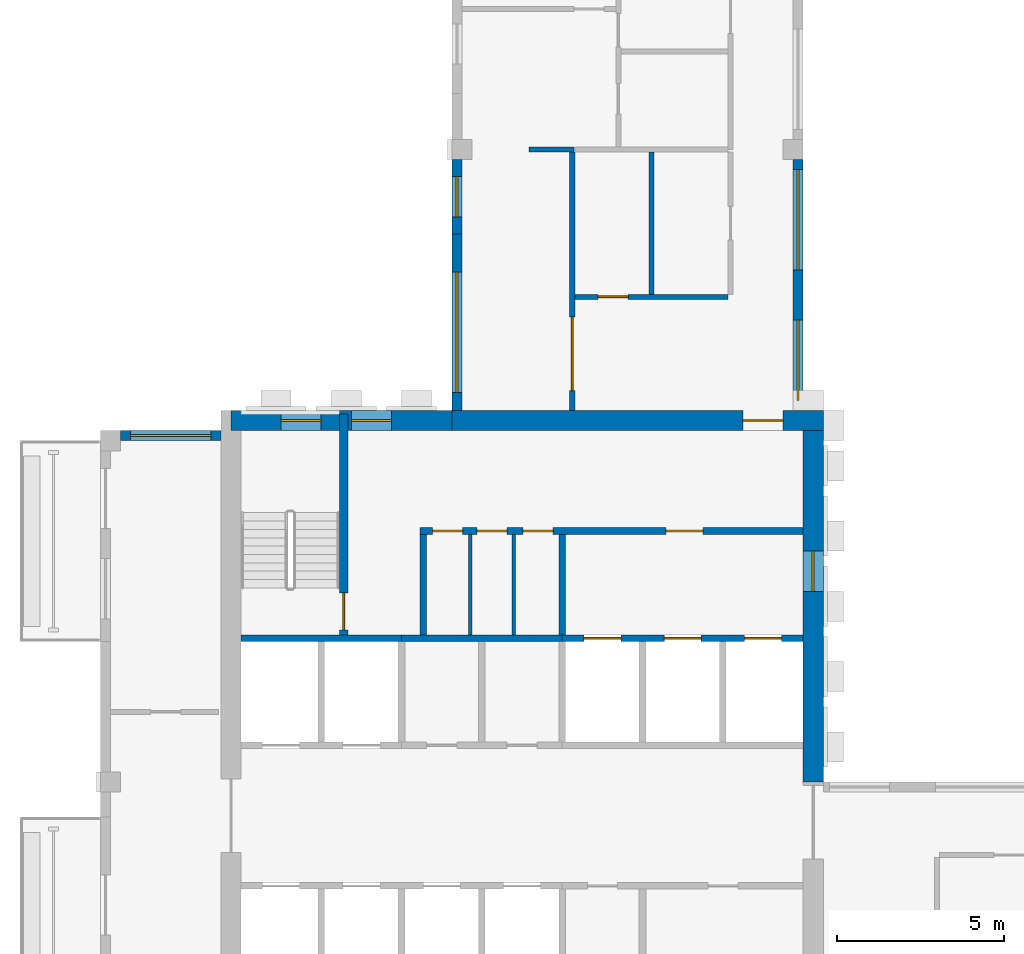
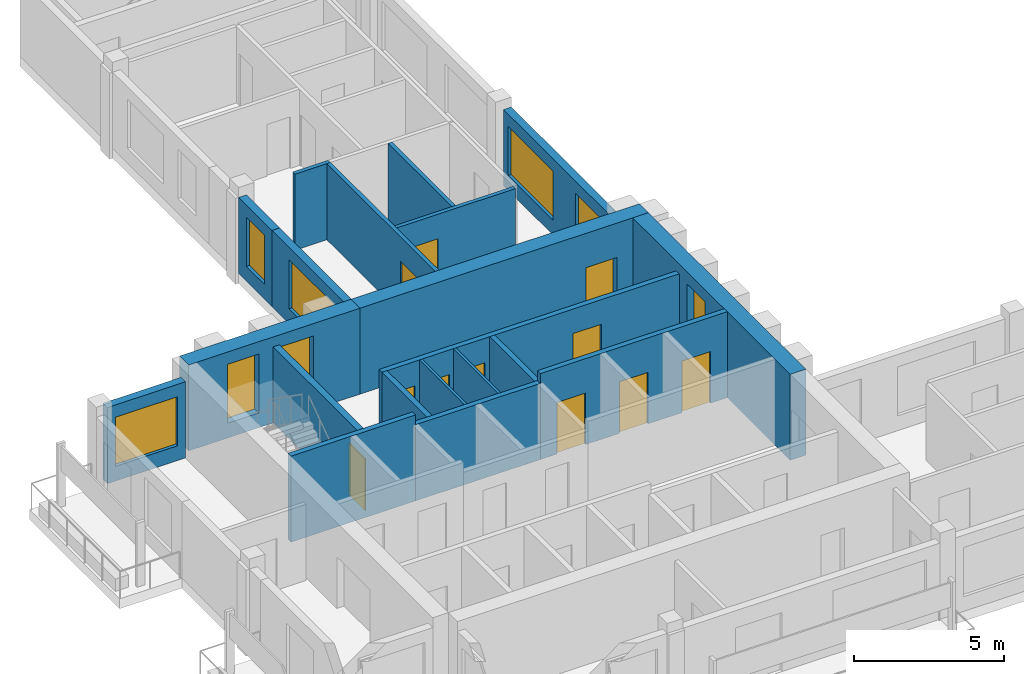
# One storey, part 3 of 10: 20 walls, 11 doors, 8 windows, 19 openings.
"""IFC4 building model written with IfcOpenShell, lengths in metres."""

import ifcopenshell
import ifcopenshell.guid

model = None  # the IFC model being written
_history = None  # IfcOwnerHistory: only IFC2X3 demands one
_inside = {}  # id of a spatial element -> (the spatial element, [elements in it])
_under = {}  # id of a project, library or spatial element -> (it, [spatial elements below it])
_declared = {}  # id of a project -> (the project, [libraries it declares])
_typed = {}  # id of a type object -> (the type object, [elements of that type])
_made_of = {}  # id of a material, layer set ... -> (it, [elements and type objects made of it])


def new_model(schema):
    """Start an empty IFC model of exactly this schema.

    Asked for "IFC4X3", IfcOpenShell would pick the latest addendum, in which some entities
    have other attributes; the version numbers below select the first issue.
    IFC2X3 requires an IfcOwnerHistory on every rooted entity: one is made here for all.
    """
    global model, _history
    if schema == "IFC4X3":
        model = ifcopenshell.file(schema_version=(4, 3, 0, 0))
    else:
        model = ifcopenshell.file(schema=schema)
    _inside.clear()
    _under.clear()
    _declared.clear()
    _typed.clear()
    _made_of.clear()
    _history = None
    if model.schema == "IFC2X3":
        org = make("IfcOrganization", Name="unknown")
        user = make(
            "IfcPersonAndOrganization",
            ThePerson=make("IfcPerson", FamilyName="unknown"),
            TheOrganization=org,
        )
        app = make(
            "IfcApplication",
            ApplicationDeveloper=org,
            Version="unknown",
            ApplicationFullName="unknown",
            ApplicationIdentifier="unknown",
        )
        _history = make(
            "IfcOwnerHistory",
            OwningUser=user,
            OwningApplication=app,
            ChangeAction="ADDED",
            CreationDate=0,
        )
    return model


def make(cls, **values):
    """One entity of the class cls with the attributes given. An attribute that is None is left unset."""
    return model.create_entity(
        cls, **{name: value for name, value in values.items() if value is not None}
    )


def rooted(cls, **values):
    """An entity with a GlobalId (a new one), such as an element, a storey or a relation."""
    return make(cls, GlobalId=ifcopenshell.guid.new(), OwnerHistory=_history, **values)


def si_unit(unit_type, name, prefix=None):
    """IfcSIUnit, for example si_unit("LENGTHUNIT", "METRE", prefix="MILLI")."""
    return make("IfcSIUnit", UnitType=unit_type, Prefix=prefix, Name=name)


def assignment(units):
    """IfcUnitAssignment: the units of a project."""
    return None if units is None else make("IfcUnitAssignment", Units=units)


def point(xyz):
    """IfcCartesianPoint."""
    return None if xyz is None else make("IfcCartesianPoint", Coordinates=xyz)


def direction(xyz):
    """IfcDirection."""
    return None if xyz is None else make("IfcDirection", DirectionRatios=xyz)


def frame(location, z_axis=None, x_axis=None):
    """IfcAxis2Placement3D, a coordinate frame: its origin and axes. An axis left out is left unset."""
    return make(
        "IfcAxis2Placement3D",
        Location=point(location),
        Axis=direction(z_axis),
        RefDirection=direction(x_axis),
    )


def frame_2d(location, x_axis=None):
    """IfcAxis2Placement2D, a coordinate frame in the plane: its origin and x axis."""
    return make(
        "IfcAxis2Placement2D", Location=point(location), RefDirection=direction(x_axis)
    )


def origin():
    """The frame at (0, 0, 0) with its axes left unset."""
    return frame((0.0, 0.0, 0.0))


def place(relative_to, where):
    """IfcLocalPlacement: puts the frame where relative to a parent placement (None: the world)."""
    return make(
        "IfcLocalPlacement", PlacementRelTo=relative_to, RelativePlacement=where
    )


def context(
    kind, dimensions, precision=None, world=None, true_north=None, identifier=None
):
    """IfcGeometricRepresentationContext, for example the 3D "Model" context."""
    return make(
        "IfcGeometricRepresentationContext",
        ContextIdentifier=identifier,
        ContextType=kind,
        CoordinateSpaceDimension=dimensions,
        Precision=precision,
        WorldCoordinateSystem=world,
        TrueNorth=true_north,
    )


def subcontext(parent, identifier, kind, view, scale=None):
    """IfcGeometricRepresentationSubContext, for example "Body" below "Model"."""
    return make(
        "IfcGeometricRepresentationSubContext",
        ContextIdentifier=identifier,
        ContextType=kind,
        ParentContext=parent,
        TargetScale=scale,
        TargetView=view,
    )


def project(units=None, contexts=None):
    """IfcProject with its units and contexts."""
    return rooted(
        "IfcProject",
        Name="project",
        RepresentationContexts=contexts,
        UnitsInContext=assignment(units),
    )


def spatial(cls, under=None, at=None, **own):
    """A site, building, storey or space (cls), placed at a placement, below another one or the project."""
    s = rooted(cls, ObjectPlacement=at, **own)
    if under is not None:
        _under.setdefault(under.id(), (under, []))[1].append(s)
    return s


def profile(cls, at=None, kind="AREA", **sizes):
    """A parametric profile (cls). Its sizes go by their IFC names, for example OverallWidth=200.0."""
    return make(cls, ProfileType=kind, Position=at, **sizes)


def rectangle(**sizes):
    """IfcRectangleProfileDef."""
    return profile("IfcRectangleProfileDef", **sizes)


def extrude(swept, where, along, depth):
    """IfcExtrudedAreaSolid: the profile swept, set in the frame where, extruded along a direction by depth."""
    return make(
        "IfcExtrudedAreaSolid",
        SweptArea=swept,
        Position=where,
        ExtrudedDirection=direction(along),
        Depth=depth,
    )


def shape(context_of_items, identifier, shape_type, items):
    """IfcShapeRepresentation: the items that make up one representation, for example the "Body"."""
    return make(
        "IfcShapeRepresentation",
        ContextOfItems=context_of_items,
        RepresentationIdentifier=identifier,
        RepresentationType=shape_type,
        Items=items,
    )


def source(mapping_origin, context_of_items, identifier, shape_type, items):
    """IfcRepresentationMap: a shape defined once, which mapped items show again and again."""
    return make(
        "IfcRepresentationMap",
        MappingOrigin=mapping_origin,
        MappedRepresentation=shape(context_of_items, identifier, shape_type, items),
    )


def transform(
    local_origin,
    x_axis=None,
    y_axis=None,
    z_axis=None,
    scale=None,
    scale2=None,
    scale3=None,
    uniform=True,
):
    """IfcCartesianTransformationOperator3D, or its non-uniform kind. x_axis, y_axis, z_axis: its Axis1, 2, 3."""
    if uniform:
        return make(
            "IfcCartesianTransformationOperator3D",
            Axis1=direction(x_axis),
            Axis2=direction(y_axis),
            LocalOrigin=point(local_origin),
            Scale=scale,
            Axis3=direction(z_axis),
        )
    return make(
        "IfcCartesianTransformationOperator3DnonUniform",
        Axis1=direction(x_axis),
        Axis2=direction(y_axis),
        LocalOrigin=point(local_origin),
        Scale=scale,
        Axis3=direction(z_axis),
        Scale2=scale2,
        Scale3=scale3,
    )


def mapped(mapping_source, mapping_target):
    """IfcMappedItem: shows the shape of a source again, moved by a transform."""
    return make(
        "IfcMappedItem", MappingSource=mapping_source, MappingTarget=mapping_target
    )


def material(Name=None, Category=None):
    """IfcMaterial."""
    return make("IfcMaterial", Name=Name, Category=Category)


def layer(
    of_material, thickness, ventilated=None, Name=None, Category=None, Priority=None
):
    """IfcMaterialLayer: one layer of a wall or slab, of a material (None: an air gap)."""
    return make(
        "IfcMaterialLayer",
        Material=of_material,
        LayerThickness=thickness,
        IsVentilated=ventilated,
        Name=Name,
        Category=Category,
        Priority=Priority,
    )


def layer_set(layers, Name=None):
    """IfcMaterialLayerSet."""
    return make("IfcMaterialLayerSet", MaterialLayers=layers, LayerSetName=Name)


def made_of(thing, what):
    """Note that an element or type object is made of a material, layer set ...; save() writes the relation."""
    if what is not None:
        _made_of.setdefault(what.id(), (what, []))[1].append(thing)
    return thing


def type_object(cls, material=None, **own):
    """A type object (cls), such as IfcWallType, which elements share."""
    return made_of(rooted(cls, **own), material)


def element(
    cls,
    number,
    at=None,
    inside=None,
    cuts=None,
    type_object=None,
    material=None,
    context=None,
    identifier="Body",
    shape_type=None,
    held_by="IfcProductDefinitionShape",
    body=None,
    shapes=None,
    **own,
):
    """One element of the class cls, such as IfcWall. Its Tag is "e" and its number.

    at: its placement. inside: the storey or other place that contains it. cuts: it is an
    opening in that element (IfcRelVoidsElement). A single representation is given by context,
    identifier, shape_type and body (its items); several are given by shapes. held_by: the class
    of the entity that holds the representations. save() writes the other relations.
    """
    e = rooted(cls, Tag="e%d" % number, ObjectPlacement=at, **own)
    if body is not None:
        shapes = [shape(context, identifier, shape_type, body)]
    if shapes is not None:
        e.Representation = make(held_by, Representations=shapes)
    if inside is not None:
        _inside.setdefault(inside.id(), (inside, []))[1].append(e)
    if cuts is not None:
        rooted(
            "IfcRelVoidsElement", RelatingBuildingElement=cuts, RelatedOpeningElement=e
        )
    if type_object is not None:
        _typed.setdefault(type_object.id(), (type_object, []))[1].append(e)
    return made_of(e, material)


def fill(opening, filler):
    """IfcRelFillsElement: the door or window that sits in an opening."""
    return rooted(
        "IfcRelFillsElement",
        RelatingOpeningElement=opening,
        RelatedBuildingElement=filler,
    )


def aggregate(whole, parts):
    """IfcRelAggregates: a whole, such as a stair, and the parts it consists of."""
    return rooted("IfcRelAggregates", RelatingObject=whole, RelatedObjects=parts)


def save(model, path):
    """Write the relations noted so far, then the file.

    IfcRelAggregates (storeys below a building ...), IfcRelContainedInSpatialStructure (elements
    in a storey), IfcRelDefinesByType, IfcRelAssociatesMaterial and IfcRelDeclares: one each for
    every whole, place, type object, material and project.
    """
    for whole, parts in _under.values():
        aggregate(whole, parts)
    for where, things in _inside.values():
        rooted(
            "IfcRelContainedInSpatialStructure",
            RelatedElements=things,
            RelatingStructure=where,
        )
    for kind, things in _typed.values():
        rooted("IfcRelDefinesByType", RelatedObjects=things, RelatingType=kind)
    for what, things in _made_of.values():
        rooted("IfcRelAssociatesMaterial", RelatedObjects=things, RelatingMaterial=what)
    for by, libraries in _declared.values():
        rooted("IfcRelDeclares", RelatingContext=by, RelatedDefinitions=libraries)
    model.write(path)


model = new_model("IFC4")

# Units and contexts
model_context = context("Model", 3, precision=1e-05, world=origin(), true_north=direction((0.0, 1.0)))
body_context = subcontext(model_context, "Body", "Model", "MODEL_VIEW")
ifc_project = project(units=[si_unit("LENGTHUNIT", "METRE"), si_unit("AREAUNIT", "SQUARE_METRE"), si_unit("VOLUMEUNIT", "CUBIC_METRE"), si_unit("PLANEANGLEUNIT", "RADIAN"), si_unit("MASSUNIT", "GRAM", prefix="KILO")], contexts=[model_context])

# Site, building, storey
site_placement = place(None, origin())
site = spatial("IfcSite", under=ifc_project, at=site_placement, CompositionType="ELEMENT")
building_placement = place(site_placement, origin())
building = spatial("IfcBuilding", under=site, at=building_placement, Name="Aurelian Terraces", CompositionType="ELEMENT")
storey_placement = place(building_placement, frame((0.0, 0.0, 361.5)))
storey = spatial("IfcBuildingStorey", under=building, at=storey_placement, Name="L86", CompositionType="ELEMENT", Elevation=361.5)

# Wall, opening, door
ifc_material_1 = material(Name="Concrete fc' 55 MPa", Category="concrete")
ifc_layer_1 = layer(ifc_material_1, 0.6)
ifc_layer_set_1 = layer_set([ifc_layer_1], Name="CORE WALL 600 FC55")
wall_type_1 = type_object("IfcWallType", Name="CORE WALL 600 FC55", PredefinedType="SHEAR", material=ifc_layer_set_1)
shared_shape_1 = source(origin(), body_context, "Body", "SweptSolid", [
    extrude(rectangle(XDim=11.1, YDim=0.6, at=frame_2d((5.55, 0.0))), origin(), (0.0, 0.0, 1.0), 3.5),
])
wall_1_placement = place(storey_placement, frame((10.5, 21.3, 0.0), z_axis=(0.0, 0.0, 1.0), x_axis=(1.0, 0.0, 0.0)))
wall_1 = element("IfcWall", 1, at=wall_1_placement, inside=storey, type_object=wall_type_1, Name="Core wall N L86", PredefinedType="SHEAR", context=body_context, shape_type="MappedRepresentation", body=[
    mapped(shared_shape_1, transform((0.0, 0.0, 0.0), scale=1.0)),
])
shared_shape_2 = source(origin(), body_context, "Body", "SweptSolid", [
    extrude(rectangle(XDim=1.2, YDim=2.1, at=frame_2d((0.6, 1.05))), frame((0.0, 0.31, 0.0), z_axis=(0.0, -1.0, 0.0), x_axis=(1.0, 0.0, 0.0)), (0.0, 0.0, 1.0), 0.62),
])
opening_1_placement = place(wall_1_placement, frame((8.7, 0.0, 0.0)))
opening_1 = element("IfcOpeningElement", 2, at=opening_1_placement, cuts=wall_1, Name="Opening 68926", PredefinedType="OPENING", context=body_context, shape_type="MappedRepresentation", body=[
    mapped(shared_shape_2, transform((0.0, 0.0, 0.0), scale=1.0)),
])
ifc_material_2 = material(Name="Steel door leaf", Category="steel")
door_type_1 = type_object("IfcDoorType", Name="Core fire door 1200x2100 right", OperationType="SINGLE_SWING_RIGHT", PredefinedType="DOOR", material=ifc_material_2)
shared_shape_3 = source(origin(), body_context, "Body", "SweptSolid", [
    extrude(rectangle(XDim=1.2, YDim=2.1, at=frame_2d((0.6, 1.05))), frame((0.0, 0.025, 0.0), z_axis=(0.0, -1.0, 0.0), x_axis=(1.0, 0.0, 0.0)), (0.0, 0.0, 1.0), 0.05),
])
door_1_placement = place(opening_1_placement, origin())
door_1 = element("IfcDoor", 3, at=door_1_placement, inside=storey, type_object=door_type_1, Name="Core door 68926", OperationType="SINGLE_SWING_RIGHT", OverallHeight=2.1, OverallWidth=1.2, PredefinedType="DOOR", context=body_context, shape_type="MappedRepresentation", body=[
    mapped(shared_shape_3, transform((0.0, 0.0, 0.0), scale=1.0)),
])
fill(opening_1, door_1)

# Wall, opening, window
shared_shape_4 = source(origin(), body_context, "Body", "SweptSolid", [
    extrude(rectangle(XDim=10.5, YDim=0.6, at=frame_2d((5.25, 0.0))), origin(), (0.0, 0.0, 1.0), 3.5),
])
wall_2_placement = place(storey_placement, frame((21.3, 10.5, 0.0), z_axis=(0.0, 0.0, 1.0), x_axis=(0.0, 1.0, 0.0)))
wall_2 = element("IfcWall", 4, at=wall_2_placement, inside=storey, type_object=wall_type_1, Name="Core wall E L86 exposed", PredefinedType="SHEAR", context=body_context, shape_type="MappedRepresentation", body=[
    mapped(shared_shape_4, transform((0.0, 0.0, 0.0), scale=1.0)),
])
shared_shape_5 = source(origin(), body_context, "Body", "SweptSolid", [
    extrude(rectangle(XDim=1.2, YDim=2.4, at=frame_2d((0.6, 1.2))), frame((0.0, 0.31, 0.0), z_axis=(0.0, -1.0, 0.0), x_axis=(1.0, 0.0, 0.0)), (0.0, 0.0, 1.0), 0.62),
])
opening_2_placement = place(wall_2_placement, frame((5.7, 0.0, 0.6)))
opening_2 = element("IfcOpeningElement", 5, at=opening_2_placement, cuts=wall_2, Name="Opening W-CL", PredefinedType="OPENING", context=body_context, shape_type="MappedRepresentation", body=[
    mapped(shared_shape_5, transform((0.0, 0.0, 0.0), scale=1.0)),
])
ifc_material_3 = material(Name="Fire-resisting glazing", Category="glass")
window_type_1 = type_object("IfcWindowType", Name="Core lobby window 1200x2400", PartitioningType="SINGLE_PANEL", PredefinedType="WINDOW", material=ifc_material_3)
shared_shape_6 = source(origin(), body_context, "Body", "SweptSolid", [
    extrude(rectangle(XDim=1.2, YDim=2.4, at=frame_2d((0.6, 1.2))), frame((0.0, 0.03, 0.0), z_axis=(0.0, -1.0, 0.0), x_axis=(1.0, 0.0, 0.0)), (0.0, 0.0, 1.0), 0.06),
])
window_1_placement = place(opening_2_placement, origin())
window_1 = element("IfcWindow", 6, at=window_1_placement, inside=storey, type_object=window_type_1, Name="Lobby window L86 E67", OverallHeight=2.4, OverallWidth=1.2, PartitioningType="SINGLE_PANEL", PredefinedType="WINDOW", context=body_context, shape_type="MappedRepresentation", body=[
    mapped(shared_shape_6, transform((0.0, 0.0, 0.0), scale=1.0)),
])
fill(opening_2, window_1)

# Wall, openings, windows
shared_shape_7 = source(origin(), body_context, "Body", "SweptSolid", [
    extrude(rectangle(XDim=6.6, YDim=0.6, at=frame_2d((3.3, 0.0))), origin(), (0.0, 0.0, 1.0), 3.5),
])
wall_3_placement = place(storey_placement, frame((3.9, 21.3, 0.0), z_axis=(0.0, 0.0, 1.0), x_axis=(1.0, 0.0, 0.0)))
wall_3 = element("IfcWall", 7, at=wall_3_placement, inside=storey, type_object=wall_type_1, Name="Core wall N L86 exposed", PredefinedType="SHEAR", context=body_context, shape_type="MappedRepresentation", body=[
    mapped(shared_shape_7, transform((0.0, 0.0, 0.0), scale=1.0)),
])
opening_3_placement = place(wall_3_placement, frame((1.5, 0.0, 0.6)))
opening_3 = element("IfcOpeningElement", 8, at=opening_3_placement, cuts=wall_3, Name="Opening W-CL", PredefinedType="OPENING", context=body_context, shape_type="MappedRepresentation", body=[
    mapped(shared_shape_5, transform((0.0, 0.0, 0.0), scale=1.0)),
])
opening_4_placement = place(wall_3_placement, frame((3.6, 0.0, 0.6)))
opening_4 = element("IfcOpeningElement", 9, at=opening_4_placement, cuts=wall_3, Name="Opening W-CL", PredefinedType="OPENING", context=body_context, shape_type="MappedRepresentation", body=[
    mapped(shared_shape_5, transform((0.0, 0.0, 0.0), scale=1.0)),
])
window_2_placement = place(opening_3_placement, origin())
window_2 = element("IfcWindow", 10, at=window_2_placement, inside=storey, type_object=window_type_1, Name="Lobby window L86 N68", OverallHeight=2.4, OverallWidth=1.2, PartitioningType="SINGLE_PANEL", PredefinedType="WINDOW", context=body_context, shape_type="MappedRepresentation", body=[
    mapped(shared_shape_6, transform((0.0, 0.0, 0.0), scale=1.0)),
])
fill(opening_3, window_2)
window_3_placement = place(opening_4_placement, origin())
window_3 = element("IfcWindow", 11, at=window_3_placement, inside=storey, type_object=window_type_1, Name="Lobby window L86 N69", OverallHeight=2.4, OverallWidth=1.2, PartitioningType="SINGLE_PANEL", PredefinedType="WINDOW", context=body_context, shape_type="MappedRepresentation", body=[
    mapped(shared_shape_6, transform((0.0, 0.0, 0.0), scale=1.0)),
])
fill(opening_4, window_3)

# Wall, opening, window
ifc_material_4 = material(Name="Terracotta rainscreen cladding", Category="masonry")
ifc_layer_2 = layer(ifc_material_4, 0.3)
ifc_layer_set_2 = layer_set([ifc_layer_2], Name="EW-300")
wall_type_2 = type_object("IfcWallType", Name="EW-300", PredefinedType="STANDARD", material=ifc_layer_set_2)
shared_shape_8 = source(origin(), body_context, "Body", "SweptSolid", [
    extrude(rectangle(XDim=5.28, YDim=0.3, at=frame_2d((2.64, 0.0))), origin(), (0.0, 0.0, 1.0), 3.1),
])
wall_4_placement = place(storey_placement, frame((10.65, 26.88, 0.0), z_axis=(0.0, 0.0, 1.0), x_axis=(0.0, -1.0, 0.0)))
wall_4 = element("IfcWall", 12, at=wall_4_placement, inside=storey, type_object=wall_type_2, Name="External wall L86 F06.16", PredefinedType="STANDARD", context=body_context, shape_type="MappedRepresentation", body=[
    mapped(shared_shape_8, transform((0.0, 0.0, 0.0), scale=1.0)),
])
shared_shape_9 = source(origin(), body_context, "Body", "SweptSolid", [
    extrude(rectangle(XDim=3.6, YDim=2.0, at=frame_2d((1.8, 1.0))), frame((0.0, 0.16, 0.0), z_axis=(0.0, -1.0, 0.0), x_axis=(1.0, 0.0, 0.0)), (0.0, 0.0, 1.0), 0.32),
])
opening_5_placement = place(wall_4_placement, frame((1.14, 0.0, 0.6)))
opening_5 = element("IfcOpeningElement", 13, at=opening_5_placement, cuts=wall_4, Name="Opening W3620", PredefinedType="OPENING", context=body_context, shape_type="MappedRepresentation", body=[
    mapped(shared_shape_9, transform((0.0, 0.0, 0.0), scale=1.0)),
])
ifc_material_5 = material(Name="Clear glazing", Category="glass")
window_type_2 = type_object("IfcWindowType", Name="W-3600x2000", PartitioningType="SINGLE_PANEL", PredefinedType="WINDOW", material=ifc_material_5)
shared_shape_10 = source(origin(), body_context, "Body", "SweptSolid", [
    extrude(rectangle(XDim=3.6, YDim=2.0, at=frame_2d((1.8, 1.0))), frame((0.0, 0.03, 0.0), z_axis=(0.0, -1.0, 0.0), x_axis=(1.0, 0.0, 0.0)), (0.0, 0.0, 1.0), 0.06),
])
window_4_placement = place(opening_5_placement, origin())
window_4 = element("IfcWindow", 14, at=window_4_placement, inside=storey, type_object=window_type_2, Name="Window L86 L86-F06-16-0", OverallHeight=2.0, OverallWidth=3.6, PartitioningType="SINGLE_PANEL", PredefinedType="WINDOW", context=body_context, shape_type="MappedRepresentation", body=[
    mapped(shared_shape_10, transform((0.0, 0.0, 0.0), scale=1.0)),
])
fill(opening_5, window_4)

# Wall, openings, windows
shared_shape_11 = source(origin(), body_context, "Body", "SweptSolid", [
    extrude(rectangle(XDim=7.5, YDim=0.3, at=frame_2d((3.75, 0.0))), origin(), (0.0, 0.0, 1.0), 3.1),
])
wall_5_placement = place(storey_placement, frame((20.85, 21.6, 0.0), z_axis=(0.0, 0.0, 1.0), x_axis=(0.0, 1.0, 0.0)))
wall_5 = element("IfcWall", 15, at=wall_5_placement, inside=storey, type_object=wall_type_2, Name="External wall L86 F04.10", PredefinedType="STANDARD", context=body_context, shape_type="MappedRepresentation", body=[
    mapped(shared_shape_11, transform((0.0, 0.0, 0.0), scale=1.0)),
])
shared_shape_12 = source(origin(), body_context, "Body", "SweptSolid", [
    extrude(rectangle(XDim=2.4, YDim=2.0, at=frame_2d((1.2, 1.0))), frame((0.0, 0.16, 0.0), z_axis=(0.0, -1.0, 0.0), x_axis=(1.0, 0.0, 0.0)), (0.0, 0.0, 1.0), 0.32),
])
opening_6_placement = place(wall_5_placement, frame((0.3, 0.0, 0.6)))
opening_6 = element("IfcOpeningElement", 16, at=opening_6_placement, cuts=wall_5, Name="Opening W2420", PredefinedType="OPENING", context=body_context, shape_type="MappedRepresentation", body=[
    mapped(shared_shape_12, transform((0.0, 0.0, 0.0), scale=1.0)),
])
shared_shape_13 = source(origin(), body_context, "Body", "SweptSolid", [
    extrude(rectangle(XDim=3.0, YDim=2.0, at=frame_2d((1.5, 1.0))), frame((0.0, 0.16, 0.0), z_axis=(0.0, -1.0, 0.0), x_axis=(1.0, 0.0, 0.0)), (0.0, 0.0, 1.0), 0.32),
])
opening_7_placement = place(wall_5_placement, frame((4.2, 0.0, 0.6)))
opening_7 = element("IfcOpeningElement", 17, at=opening_7_placement, cuts=wall_5, Name="Opening W3020", PredefinedType="OPENING", context=body_context, shape_type="MappedRepresentation", body=[
    mapped(shared_shape_13, transform((0.0, 0.0, 0.0), scale=1.0)),
])
window_type_3 = type_object("IfcWindowType", Name="W-3000x2000", PartitioningType="SINGLE_PANEL", PredefinedType="WINDOW", material=ifc_material_5)
shared_shape_14 = source(origin(), body_context, "Body", "SweptSolid", [
    extrude(rectangle(XDim=3.0, YDim=2.0, at=frame_2d((1.5, 1.0))), frame((0.0, 0.03, 0.0), z_axis=(0.0, -1.0, 0.0), x_axis=(1.0, 0.0, 0.0)), (0.0, 0.0, 1.0), 0.06),
])
window_5_placement = place(opening_7_placement, origin())
window_5 = element("IfcWindow", 18, at=window_5_placement, inside=storey, type_object=window_type_3, Name="Window L86 L86-F04-10-1", OverallHeight=2.0, OverallWidth=3.0, PartitioningType="SINGLE_PANEL", PredefinedType="WINDOW", context=body_context, shape_type="MappedRepresentation", body=[
    mapped(shared_shape_14, transform((0.0, 0.0, 0.0), scale=1.0)),
])
fill(opening_7, window_5)
window_type_4 = type_object("IfcWindowType", Name="W-2400x2000", PartitioningType="SINGLE_PANEL", PredefinedType="WINDOW", material=ifc_material_5)
shared_shape_15 = source(origin(), body_context, "Body", "SweptSolid", [
    extrude(rectangle(XDim=2.4, YDim=2.0, at=frame_2d((1.2, 1.0))), frame((0.0, 0.03, 0.0), z_axis=(0.0, -1.0, 0.0), x_axis=(1.0, 0.0, 0.0)), (0.0, 0.0, 1.0), 0.06),
])
window_6_placement = place(opening_6_placement, origin())
window_6 = element("IfcWindow", 19, at=window_6_placement, inside=storey, type_object=window_type_4, Name="Window L86 L86-F04-10-0", OverallHeight=2.0, OverallWidth=2.4, PartitioningType="SINGLE_PANEL", PredefinedType="WINDOW", context=body_context, shape_type="MappedRepresentation", body=[
    mapped(shared_shape_15, transform((0.0, 0.0, 0.0), scale=1.0)),
])
fill(opening_6, window_6)

# Wall, opening, window
shared_shape_16 = source(origin(), body_context, "Body", "SweptSolid", [
    extrude(rectangle(XDim=3.0, YDim=0.3, at=frame_2d((1.5, 0.0))), origin(), (0.0, 0.0, 1.0), 3.1),
])
wall_6_placement = place(storey_placement, frame((3.6, 20.85, 0.0), z_axis=(0.0, 0.0, 1.0), x_axis=(-1.0, 0.0, 0.0)))
wall_6 = element("IfcWall", 20, at=wall_6_placement, inside=storey, type_object=wall_type_2, Name="External wall L86 F11.21", PredefinedType="STANDARD", context=body_context, shape_type="MappedRepresentation", body=[
    mapped(shared_shape_16, transform((0.0, 0.0, 0.0), scale=1.0)),
])
opening_8_placement = place(wall_6_placement, frame((0.3, 0.0, 0.6)))
opening_8 = element("IfcOpeningElement", 21, at=opening_8_placement, cuts=wall_6, Name="Opening W2420", PredefinedType="OPENING", context=body_context, shape_type="MappedRepresentation", body=[
    mapped(shared_shape_12, transform((0.0, 0.0, 0.0), scale=1.0)),
])
window_7_placement = place(opening_8_placement, origin())
window_7 = element("IfcWindow", 22, at=window_7_placement, inside=storey, type_object=window_type_4, Name="Window L86 L86-F11-21-0", OverallHeight=2.0, OverallWidth=2.4, PartitioningType="SINGLE_PANEL", PredefinedType="WINDOW", context=body_context, shape_type="MappedRepresentation", body=[
    mapped(shared_shape_15, transform((0.0, 0.0, 0.0), scale=1.0)),
])
fill(opening_8, window_7)

shared_shape_17 = source(origin(), body_context, "Body", "SweptSolid", [
    extrude(rectangle(XDim=2.22, YDim=0.3, at=frame_2d((1.11, 0.0))), origin(), (0.0, 0.0, 1.0), 3.1),
])
wall_7_placement = place(storey_placement, frame((10.65, 29.1, 0.0), z_axis=(0.0, 0.0, 1.0), x_axis=(0.0, -1.0, 0.0)))
wall_7 = element("IfcWall", 23, at=wall_7_placement, inside=storey, type_object=wall_type_2, Name="External wall L86 F06.15", PredefinedType="STANDARD", context=body_context, shape_type="MappedRepresentation", body=[
    mapped(shared_shape_17, transform((0.0, 0.0, 0.0), scale=1.0)),
])
shared_shape_18 = source(origin(), body_context, "Body", "SweptSolid", [
    extrude(rectangle(XDim=1.2, YDim=2.0, at=frame_2d((0.6, 1.0))), frame((0.0, 0.16, 0.0), z_axis=(0.0, -1.0, 0.0), x_axis=(1.0, 0.0, 0.0)), (0.0, 0.0, 1.0), 0.32),
])
opening_9_placement = place(wall_7_placement, frame((0.51, 0.0, 0.6)))
opening_9 = element("IfcOpeningElement", 24, at=opening_9_placement, cuts=wall_7, Name="Opening W1220", PredefinedType="OPENING", context=body_context, shape_type="MappedRepresentation", body=[
    mapped(shared_shape_18, transform((0.0, 0.0, 0.0), scale=1.0)),
])
window_type_5 = type_object("IfcWindowType", Name="W-1200x2000", PartitioningType="SINGLE_PANEL", PredefinedType="WINDOW", material=ifc_material_5)
shared_shape_19 = source(origin(), body_context, "Body", "SweptSolid", [
    extrude(rectangle(XDim=1.2, YDim=2.0, at=frame_2d((0.6, 1.0))), frame((0.0, 0.03, 0.0), z_axis=(0.0, -1.0, 0.0), x_axis=(1.0, 0.0, 0.0)), (0.0, 0.0, 1.0), 0.06),
])
window_8_placement = place(opening_9_placement, origin())
window_8 = element("IfcWindow", 25, at=window_8_placement, inside=storey, type_object=window_type_5, Name="Window L86 L86-F06-15-P1", OverallHeight=2.0, OverallWidth=1.2, PartitioningType="SINGLE_PANEL", PredefinedType="WINDOW", context=body_context, shape_type="MappedRepresentation", body=[
    mapped(shared_shape_19, transform((0.0, 0.0, 0.0), scale=1.0)),
])
fill(opening_9, window_8)

# Walls
ifc_material_6 = material(Name="Concrete fc' 40 MPa", Category="concrete")
ifc_layer_3 = layer(ifc_material_6, 0.2)
ifc_layer_set_3 = layer_set([ifc_layer_3], Name="Lift shaft wall 200")
wall_type_3 = type_object("IfcWallType", Name="Lift shaft wall 200", PredefinedType="SOLIDWALL", material=ifc_layer_set_3)
shared_shape_20 = source(origin(), body_context, "Body", "SweptSolid", [
    extrude(rectangle(XDim=4.8, YDim=0.2, at=frame_2d((2.4, 0.0))), origin(), (0.0, 0.0, 1.0), 3.5),
])
wall_8_placement = place(storey_placement, frame((4.2, 14.8, 0.0), z_axis=(0.0, 0.0, 1.0), x_axis=(1.0, 0.0, 0.0)))
element("IfcWall", 26, at=wall_8_placement, inside=storey, type_object=wall_type_3, Name="L86 core wall CF-BB1", PredefinedType="SOLIDWALL", context=body_context, shape_type="MappedRepresentation", body=[
    mapped(shared_shape_20, transform((0.0, 0.0, 0.0), scale=1.0)),
])
shared_shape_21 = source(origin(), body_context, "Body", "SweptSolid", [
    extrude(rectangle(XDim=4.8, YDim=0.2, at=frame_2d((2.4, 0.0))), origin(), (0.0, 0.0, 1.0), 3.1),
])
wall_9_placement = place(storey_placement, frame((9.0, 14.8, 0.0), z_axis=(0.0, 0.0, 1.0), x_axis=(1.0, 0.0, 0.0)))
element("IfcWall", 27, at=wall_9_placement, inside=storey, type_object=wall_type_3, Name="L86 core wall CF-BB2", PredefinedType="SOLIDWALL", context=body_context, shape_type="MappedRepresentation", body=[
    mapped(shared_shape_21, transform((0.0, 0.0, 0.0), scale=1.0)),
])

# Wall, openings, doors
shared_shape_22 = source(origin(), body_context, "Body", "SweptSolid", [
    extrude(rectangle(XDim=7.2, YDim=0.2, at=frame_2d((3.6, 0.0))), origin(), (0.0, 0.0, 1.0), 3.5),
])
wall_10_placement = place(storey_placement, frame((13.8, 14.8, 0.0), z_axis=(0.0, 0.0, 1.0), x_axis=(1.0, 0.0, 0.0)))
wall_10 = element("IfcWall", 28, at=wall_10_placement, inside=storey, type_object=wall_type_3, Name="L86 core wall CF-BB3", PredefinedType="SOLIDWALL", context=body_context, shape_type="MappedRepresentation", body=[
    mapped(shared_shape_22, transform((0.0, 0.0, 0.0), scale=1.0)),
])
shared_shape_23 = source(origin(), body_context, "Body", "SweptSolid", [
    extrude(rectangle(XDim=1.1, YDim=2.1, at=frame_2d((0.55, 1.05))), frame((0.0, 0.11, 0.0), z_axis=(0.0, -1.0, 0.0), x_axis=(1.0, 0.0, 0.0)), (0.0, 0.0, 1.0), 0.22),
])
opening_10_placement = place(wall_10_placement, frame((0.65, 0.0, 0.0)))
opening_10 = element("IfcOpeningElement", 29, at=opening_10_placement, cuts=wall_10, Name="Opening 68910", PredefinedType="OPENING", context=body_context, shape_type="MappedRepresentation", body=[
    mapped(shared_shape_23, transform((0.0, 0.0, 0.0), scale=1.0)),
])
opening_11_placement = place(wall_10_placement, frame((3.05, 0.0, 0.0)))
opening_11 = element("IfcOpeningElement", 30, at=opening_11_placement, cuts=wall_10, Name="Opening 68911", PredefinedType="OPENING", context=body_context, shape_type="MappedRepresentation", body=[
    mapped(shared_shape_23, transform((0.0, 0.0, 0.0), scale=1.0)),
])
opening_12_placement = place(wall_10_placement, frame((5.45, 0.0, 0.0)))
opening_12 = element("IfcOpeningElement", 31, at=opening_12_placement, cuts=wall_10, Name="Opening 68912", PredefinedType="OPENING", context=body_context, shape_type="MappedRepresentation", body=[
    mapped(shared_shape_23, transform((0.0, 0.0, 0.0), scale=1.0)),
])
ifc_material_7 = material(Name="Stainless steel", Category="steel")
door_type_2 = type_object("IfcDoorType", Name="Lift landing door 1100x2100", OperationType="SLIDING_TO_LEFT", PredefinedType="DOOR", material=ifc_material_7)
shared_shape_24 = source(origin(), body_context, "Body", "SweptSolid", [
    extrude(rectangle(XDim=1.1, YDim=2.1, at=frame_2d((0.55, 1.05))), frame((0.0, 0.025, 0.0), z_axis=(0.0, -1.0, 0.0), x_axis=(1.0, 0.0, 0.0)), (0.0, 0.0, 1.0), 0.05),
])
door_2_placement = place(opening_10_placement, origin())
door_2 = element("IfcDoor", 32, at=door_2_placement, inside=storey, type_object=door_type_2, Name="Lift landing door F1 L86", OperationType="SLIDING_TO_LEFT", OverallHeight=2.1, OverallWidth=1.1, PredefinedType="DOOR", context=body_context, shape_type="MappedRepresentation", body=[
    mapped(shared_shape_24, transform((0.0, 0.0, 0.0), scale=1.0)),
])
fill(opening_10, door_2)
door_3_placement = place(opening_11_placement, origin())
door_3 = element("IfcDoor", 33, at=door_3_placement, inside=storey, type_object=door_type_2, Name="Lift landing door F2 L86", OperationType="SLIDING_TO_LEFT", OverallHeight=2.1, OverallWidth=1.1, PredefinedType="DOOR", context=body_context, shape_type="MappedRepresentation", body=[
    mapped(shared_shape_24, transform((0.0, 0.0, 0.0), scale=1.0)),
])
fill(opening_11, door_3)
door_4_placement = place(opening_12_placement, origin())
door_4 = element("IfcDoor", 34, at=door_4_placement, inside=storey, type_object=door_type_2, Name="Lift landing door F3 L86", OperationType="SLIDING_TO_LEFT", OverallHeight=2.1, OverallWidth=1.1, PredefinedType="DOOR", context=body_context, shape_type="MappedRepresentation", body=[
    mapped(shared_shape_24, transform((0.0, 0.0, 0.0), scale=1.0)),
])
fill(opening_12, door_4)

# Walls
ifc_material_8 = material(Name="Gypsum board on steel studs", Category="steel")
ifc_layer_4 = layer(ifc_material_8, 0.2)
ifc_layer_set_4 = layer_set([ifc_layer_4], Name="Core partition 200")
wall_type_4 = type_object("IfcWallType", Name="Core partition 200", PredefinedType="PARTITIONING", material=ifc_layer_set_4)
shared_shape_25 = source(origin(), body_context, "Body", "SweptSolid", [
    extrude(rectangle(XDim=3.0, YDim=0.2, at=frame_2d((1.5, 0.0))), origin(), (0.0, 0.0, 1.0), 3.1),
])
for number, where, z_axis, x_axis, name in (
    (35, (9.65, 14.9, 0.0), (0.0, 0.0, 1.0), (0.0, 1.0, 0.0), "L86 core wall CP-VEST"),
    (36, (13.8, 14.9, 0.0), (0.0, 0.0, 1.0), (0.0, 1.0, 0.0), "L86 core wall CP-FFL"),
):
    element("IfcWall", number, at=place(storey_placement, frame(where, z_axis=z_axis, x_axis=x_axis)), inside=storey, type_object=wall_type_4, Name=name, PredefinedType="PARTITIONING", context=body_context, shape_type="MappedRepresentation", body=[
        mapped(shared_shape_25, transform((0.0, 0.0, 0.0), scale=1.0)),
    ])

# Wall, opening, door
ifc_layer_5 = layer(ifc_material_6, 0.25)
ifc_layer_set_5 = layer_set([ifc_layer_5], Name="Stair enclosure wall 250")
wall_type_5 = type_object("IfcWallType", Name="Stair enclosure wall 250", PredefinedType="SOLIDWALL", material=ifc_layer_set_5)
shared_shape_26 = source(origin(), body_context, "Body", "SweptSolid", [
    extrude(rectangle(XDim=6.6, YDim=0.25, at=frame_2d((3.3, 0.0))), origin(), (0.0, 0.0, 1.0), 3.1),
])
wall_11_placement = place(storey_placement, frame((7.275, 14.9, 0.0), z_axis=(0.0, 0.0, 1.0), x_axis=(0.0, 1.0, 0.0)))
wall_11 = element("IfcWall", 37, at=wall_11_placement, inside=storey, type_object=wall_type_5, Name="L86 core wall ST-S1-E", PredefinedType="SOLIDWALL", context=body_context, shape_type="MappedRepresentation", body=[
    mapped(shared_shape_26, transform((0.0, 0.0, 0.0), scale=1.0)),
])
shared_shape_27 = source(origin(), body_context, "Body", "SweptSolid", [
    extrude(rectangle(XDim=1.1, YDim=2.1, at=frame_2d((0.55, 1.05))), frame((0.0, 0.135, 0.0), z_axis=(0.0, -1.0, 0.0), x_axis=(1.0, 0.0, 0.0)), (0.0, 0.0, 1.0), 0.27),
])
opening_13_placement = place(wall_11_placement, frame((0.15, 0.0, 0.0)))
opening_13 = element("IfcOpeningElement", 38, at=opening_13_placement, cuts=wall_11, Name="Opening 68913", PredefinedType="OPENING", context=body_context, shape_type="MappedRepresentation", body=[
    mapped(shared_shape_27, transform((0.0, 0.0, 0.0), scale=1.0)),
])
door_type_3 = type_object("IfcDoorType", Name="Core fire door 1100x2100", OperationType="SINGLE_SWING_LEFT", PredefinedType="DOOR", material=ifc_material_2)
door_5_placement = place(opening_13_placement, origin())
door_5 = element("IfcDoor", 39, at=door_5_placement, inside=storey, type_object=door_type_3, Name="Stair door 68913", OperationType="SINGLE_SWING_LEFT", OverallHeight=2.1, OverallWidth=1.1, PredefinedType="DOOR", context=body_context, shape_type="MappedRepresentation", body=[
    mapped(shared_shape_24, transform((0.0, 0.0, 0.0), scale=1.0)),
])
fill(opening_13, door_5)

# Wall, openings, doors
shared_shape_28 = source(origin(), body_context, "Body", "SweptSolid", [
    extrude(rectangle(XDim=11.45, YDim=0.2, at=frame_2d((5.725, 0.0))), origin(), (0.0, 0.0, 1.0), 3.1),
])
wall_12_placement = place(storey_placement, frame((9.55, 18.0, 0.0), z_axis=(0.0, 0.0, 1.0), x_axis=(1.0, 0.0, 0.0)))
wall_12 = element("IfcWall", 40, at=wall_12_placement, inside=storey, type_object=wall_type_4, Name="L86 core wall CP-NORTH", PredefinedType="PARTITIONING", context=body_context, shape_type="MappedRepresentation", body=[
    mapped(shared_shape_28, transform((0.0, 0.0, 0.0), scale=1.0)),
])
shared_shape_29 = source(origin(), body_context, "Body", "SweptSolid", [
    extrude(rectangle(XDim=0.9, YDim=2.1, at=frame_2d((0.45, 1.05))), frame((0.0, 0.11, 0.0), z_axis=(0.0, -1.0, 0.0), x_axis=(1.0, 0.0, 0.0)), (0.0, 0.0, 1.0), 0.22),
])
opening_14_placement = place(wall_12_placement, frame((0.375, 0.0, 0.0)))
opening_14 = element("IfcOpeningElement", 41, at=opening_14_placement, cuts=wall_12, Name="Opening 68914", PredefinedType="OPENING", context=body_context, shape_type="MappedRepresentation", body=[
    mapped(shared_shape_29, transform((0.0, 0.0, 0.0), scale=1.0)),
])
opening_15_placement = place(wall_12_placement, frame((1.7, 0.0, 0.0)))
opening_15 = element("IfcOpeningElement", 42, at=opening_15_placement, cuts=wall_12, Name="Opening 68915", PredefinedType="OPENING", context=body_context, shape_type="MappedRepresentation", body=[
    mapped(shared_shape_29, transform((0.0, 0.0, 0.0), scale=1.0)),
])
opening_16_placement = place(wall_12_placement, frame((3.075, 0.0, 0.0)))
opening_16 = element("IfcOpeningElement", 43, at=opening_16_placement, cuts=wall_12, Name="Opening 68916", PredefinedType="OPENING", context=body_context, shape_type="MappedRepresentation", body=[
    mapped(shared_shape_29, transform((0.0, 0.0, 0.0), scale=1.0)),
])
opening_17_placement = place(wall_12_placement, frame((7.35, 0.0, 0.0)))
opening_17 = element("IfcOpeningElement", 44, at=opening_17_placement, cuts=wall_12, Name="Opening 68917", PredefinedType="OPENING", context=body_context, shape_type="MappedRepresentation", body=[
    mapped(shared_shape_23, transform((0.0, 0.0, 0.0), scale=1.0)),
])
door_type_4 = type_object("IfcDoorType", Name="Core riser door 900x2100 right", OperationType="SINGLE_SWING_RIGHT", PredefinedType="DOOR", material=ifc_material_2)
shared_shape_30 = source(origin(), body_context, "Body", "SweptSolid", [
    extrude(rectangle(XDim=0.9, YDim=2.1, at=frame_2d((0.45, 1.05))), frame((0.0, 0.025, 0.0), z_axis=(0.0, -1.0, 0.0), x_axis=(1.0, 0.0, 0.0)), (0.0, 0.0, 1.0), 0.05),
])
door_6_placement = place(opening_14_placement, origin())
door_6 = element("IfcDoor", 45, at=door_6_placement, inside=storey, type_object=door_type_4, Name="Room door 68914", OperationType="SINGLE_SWING_RIGHT", OverallHeight=2.1, OverallWidth=0.9, PredefinedType="DOOR", context=body_context, shape_type="MappedRepresentation", body=[
    mapped(shared_shape_30, transform((0.0, 0.0, 0.0), scale=1.0)),
])
fill(opening_14, door_6)
door_type_5 = type_object("IfcDoorType", Name="Core service door 900x2100", OperationType="SINGLE_SWING_LEFT", PredefinedType="DOOR", material=ifc_material_2)
door_7_placement = place(opening_15_placement, origin())
door_7 = element("IfcDoor", 46, at=door_7_placement, inside=storey, type_object=door_type_5, Name="Room door 68915", OperationType="SINGLE_SWING_LEFT", OverallHeight=2.1, OverallWidth=0.9, PredefinedType="DOOR", context=body_context, shape_type="MappedRepresentation", body=[
    mapped(shared_shape_30, transform((0.0, 0.0, 0.0), scale=1.0)),
])
fill(opening_15, door_7)
door_type_6 = type_object("IfcDoorType", Name="Core service door 900x2100 right", OperationType="SINGLE_SWING_RIGHT", PredefinedType="DOOR", material=ifc_material_2)
door_8_placement = place(opening_16_placement, origin())
door_8 = element("IfcDoor", 47, at=door_8_placement, inside=storey, type_object=door_type_6, Name="Room door 68916", OperationType="SINGLE_SWING_RIGHT", OverallHeight=2.1, OverallWidth=0.9, PredefinedType="DOOR", context=body_context, shape_type="MappedRepresentation", body=[
    mapped(shared_shape_30, transform((0.0, 0.0, 0.0), scale=1.0)),
])
fill(opening_16, door_8)
door_9_placement = place(opening_17_placement, origin())
door_9 = element("IfcDoor", 48, at=door_9_placement, inside=storey, type_object=door_type_3, Name="Ff lobby door 68917", OperationType="SINGLE_SWING_LEFT", OverallHeight=2.1, OverallWidth=1.1, PredefinedType="DOOR", context=body_context, shape_type="MappedRepresentation", body=[
    mapped(shared_shape_24, transform((0.0, 0.0, 0.0), scale=1.0)),
])
fill(opening_17, door_9)

# Walls
ifc_layer_6 = layer(ifc_material_8, 0.1)
ifc_layer_set_6 = layer_set([ifc_layer_6], Name="Core partition 100")
wall_type_6 = type_object("IfcWallType", Name="Core partition 100", PredefinedType="PARTITIONING", material=ifc_layer_set_6)
shared_shape_31 = source(origin(), body_context, "Body", "SweptSolid", [
    extrude(rectangle(XDim=3.0, YDim=0.1, at=frame_2d((1.5, 0.0))), origin(), (0.0, 0.0, 1.0), 3.1),
])
for number, where, z_axis, x_axis, name in (
    (49, (11.05, 14.9, 0.0), (0.0, 0.0, 1.0), (0.0, 1.0, 0.0), "L86 core wall CP-SV1"),
    (50, (12.35, 14.9, 0.0), (0.0, 0.0, 1.0), (0.0, 1.0, 0.0), "L86 core wall CP-SV2"),
):
    element("IfcWall", number, at=place(storey_placement, frame(where, z_axis=z_axis, x_axis=x_axis)), inside=storey, type_object=wall_type_6, Name=name, PredefinedType="PARTITIONING", context=body_context, shape_type="MappedRepresentation", body=[
        mapped(shared_shape_31, transform((0.0, 0.0, 0.0), scale=1.0)),
    ])

# Wall, opening, door
ifc_layer_7 = layer(ifc_material_8, 0.15)
ifc_layer_set_7 = layer_set([ifc_layer_7], Name="Partition 150")
wall_type_7 = type_object("IfcWallType", Name="Partition 150", PredefinedType="PARTITIONING", material=ifc_layer_set_7)
shared_shape_32 = source(origin(), body_context, "Body", "SweptSolid", [
    extrude(rectangle(XDim=4.575, YDim=0.15, at=frame_2d((2.2875, 0.0))), origin(), (0.0, 0.0, 1.0), 3.1),
])
wall_13_placement = place(storey_placement, frame((14.175, 25.0, 0.0), z_axis=(0.0, 0.0, 1.0), x_axis=(1.0, 0.0, 0.0)))
wall_13 = element("IfcWall", 51, at=wall_13_placement, inside=storey, type_object=wall_type_7, Name="Partition", PredefinedType="PARTITIONING", context=body_context, shape_type="MappedRepresentation", body=[
    mapped(shared_shape_32, transform((0.0, 0.0, 0.0), scale=1.0)),
])
shared_shape_33 = source(origin(), body_context, "Body", "SweptSolid", [
    extrude(rectangle(XDim=0.9, YDim=2.1, at=frame_2d((0.45, 1.05))), frame((0.0, 0.085, 0.0), z_axis=(0.0, -1.0, 0.0), x_axis=(1.0, 0.0, 0.0)), (0.0, 0.0, 1.0), 0.17),
])
opening_18_placement = place(wall_13_placement, frame((0.694, 0.0, 0.0)))
opening_18 = element("IfcOpeningElement", 52, at=opening_18_placement, cuts=wall_13, Name="Opening 786013", PredefinedType="OPENING", context=body_context, shape_type="MappedRepresentation", body=[
    mapped(shared_shape_33, transform((0.0, 0.0, 0.0), scale=1.0)),
])
ifc_material_9 = material(Name="Timber door leaf", Category="wood")
door_type_7 = type_object("IfcDoorType", Name="Room door 900x2100 right", OperationType="SINGLE_SWING_RIGHT", PredefinedType="DOOR", material=ifc_material_9)
door_10_placement = place(opening_18_placement, origin())
door_10 = element("IfcDoor", 53, at=door_10_placement, inside=storey, type_object=door_type_7, Name="Door 786013", OperationType="SINGLE_SWING_RIGHT", OverallHeight=2.1, OverallWidth=0.9, PredefinedType="DOOR", context=body_context, shape_type="MappedRepresentation", body=[
    mapped(shared_shape_30, transform((0.0, 0.0, 0.0), scale=1.0)),
])
fill(opening_18, door_10)

shared_shape_34 = source(origin(), body_context, "Body", "SweptSolid", [
    extrude(rectangle(XDim=7.725, YDim=0.15, at=frame_2d((3.8625, 0.0))), origin(), (0.0, 0.0, 1.0), 3.1),
])
wall_14_placement = place(storey_placement, frame((14.1, 29.325, 0.0), z_axis=(0.0, 0.0, 1.0), x_axis=(0.0, -1.0, 0.0)))
wall_14 = element("IfcWall", 54, at=wall_14_placement, inside=storey, type_object=wall_type_7, Name="Partition", PredefinedType="PARTITIONING", context=body_context, shape_type="MappedRepresentation", body=[
    mapped(shared_shape_34, transform((0.0, 0.0, 0.0), scale=1.0)),
])
shared_shape_35 = source(origin(), body_context, "Body", "SweptSolid", [
    extrude(rectangle(XDim=2.2, YDim=2.1, at=frame_2d((1.1, 1.05))), frame((0.0, 0.085, 0.0), z_axis=(0.0, -1.0, 0.0), x_axis=(1.0, 0.0, 0.0)), (0.0, 0.0, 1.0), 0.17),
])
opening_19_placement = place(wall_14_placement, frame((4.925, 0.0, 0.0)))
opening_19 = element("IfcOpeningElement", 55, at=opening_19_placement, cuts=wall_14, Name="Opening 786015", PredefinedType="OPENING", context=body_context, shape_type="MappedRepresentation", body=[
    mapped(shared_shape_35, transform((0.0, 0.0, 0.0), scale=1.0)),
])
door_type_8 = type_object("IfcDoorType", Name="Double room door 2200x2100", OperationType="DOUBLE_DOOR_SINGLE_SWING", PredefinedType="DOOR", material=ifc_material_9)
shared_shape_36 = source(origin(), body_context, "Body", "SweptSolid", [
    extrude(rectangle(XDim=2.2, YDim=2.1, at=frame_2d((1.1, 1.05))), frame((0.0, 0.025, 0.0), z_axis=(0.0, -1.0, 0.0), x_axis=(1.0, 0.0, 0.0)), (0.0, 0.0, 1.0), 0.05),
])
door_11_placement = place(opening_19_placement, origin())
door_11 = element("IfcDoor", 56, at=door_11_placement, inside=storey, type_object=door_type_8, Name="Door 786015", OperationType="DOUBLE_DOOR_SINGLE_SWING", OverallHeight=2.1, OverallWidth=2.2, PredefinedType="DOOR", context=body_context, shape_type="MappedRepresentation", body=[
    mapped(shared_shape_36, transform((0.0, 0.0, 0.0), scale=1.0)),
])
fill(opening_19, door_11)

# Walls
ifc_layer_8 = layer(ifc_material_8, 0.15)
ifc_layer_set_8 = layer_set([ifc_layer_8], Name="Fire partition 150")
wall_type_8 = type_object("IfcWallType", Name="Fire partition 150", PredefinedType="PARTITIONING", material=ifc_layer_set_8)
shared_shape_37 = source(origin(), body_context, "Body", "SweptSolid", [
    extrude(rectangle(XDim=1.35, YDim=0.15, at=frame_2d((0.675, 0.0))), origin(), (0.0, 0.0, 1.0), 3.1),
])
wall_15_placement = place(storey_placement, frame((14.155, 29.4, 0.0), z_axis=(0.0, 0.0, 1.0), x_axis=(-1.0, 0.0, 0.0)))
element("IfcWall", 57, at=wall_15_placement, inside=storey, type_object=wall_type_8, Name="Party wall", PredefinedType="PARTITIONING", context=body_context, shape_type="MappedRepresentation", body=[
    mapped(shared_shape_37, transform((0.0, 0.0, 0.0), scale=1.0)),
])
shared_shape_38 = source(origin(), body_context, "Body", "SweptSolid", [
    extrude(rectangle(XDim=4.25, YDim=0.15, at=frame_2d((2.125, 0.0))), origin(), (0.0, 0.0, 1.0), 3.1),
])
wall_16_placement = place(storey_placement, frame((16.463, 25.075, 0.0), z_axis=(0.0, 0.0, 1.0), x_axis=(0.0, 1.0, 0.0)))
element("IfcWall", 58, at=wall_16_placement, inside=storey, type_object=wall_type_7, Name="Partition", PredefinedType="PARTITIONING", context=body_context, shape_type="MappedRepresentation", body=[
    mapped(shared_shape_38, transform((0.0, 0.0, 0.0), scale=1.0)),
])

save(model, "model.ifc")
